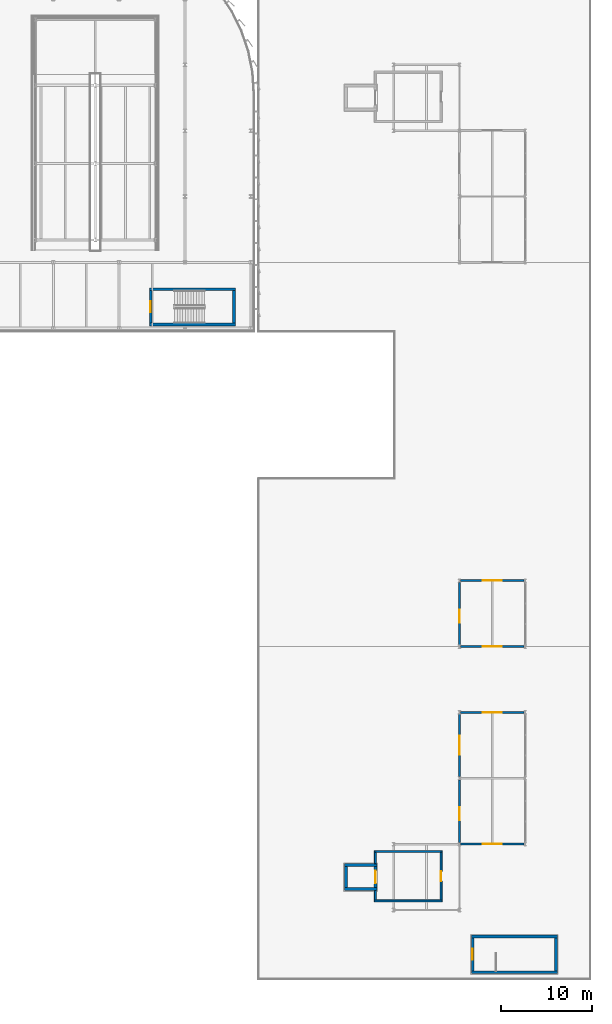
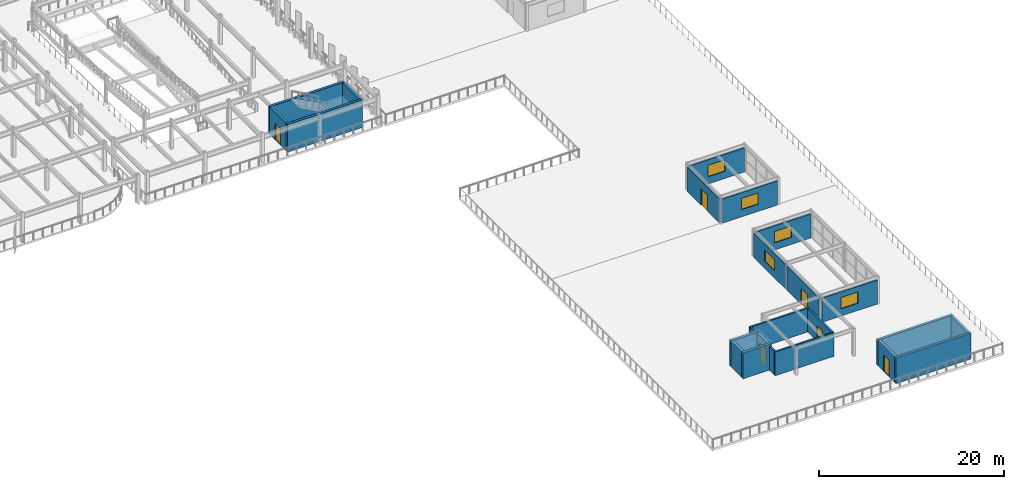
# One storey, part 36 of 52: 24 walls, 6 doors, 5 windows, 11 openings.
"""IFC4 building model written with IfcOpenShell, lengths in metres."""

from ifc_helpers import new_model, si_unit, direction, frame, frame_2d, origin, place, context, subcontext, project, spatial, rectangle, extrude, material, layer, layer_set, type_object, element, fill, save


model = new_model("IFC4")

# Units and contexts
model_context = context("Model", 3, precision=1e-05, world=origin(), true_north=direction((0.0, 1.0)))
body_context = subcontext(model_context, "Body", "Model", "MODEL_VIEW")
ifc_project = project(units=[si_unit("LENGTHUNIT", "METRE"), si_unit("AREAUNIT", "SQUARE_METRE"), si_unit("VOLUMEUNIT", "CUBIC_METRE"), si_unit("PLANEANGLEUNIT", "RADIAN"), si_unit("MASSUNIT", "GRAM", prefix="KILO")], contexts=[model_context])

# Site, building, storey
site_placement = place(None, origin())
site = spatial("IfcSite", under=ifc_project, at=site_placement, CompositionType="ELEMENT")
building_placement = place(site_placement, origin())
building = spatial("IfcBuilding", under=site, at=building_placement, Name="Vaelcorin Mobility Hub", CompositionType="ELEMENT")
storey_placement = place(building_placement, frame((0.0, 0.0, 13.199951171875)))
storey = spatial("IfcBuildingStorey", under=building, at=storey_placement, Name="L03", CompositionType="ELEMENT", Elevation=13.199951171875)

# Walls
ifc_material_1 = material(Name="Reinforced concrete f'c 45 MPa", Category="concrete")
ifc_layer_1 = layer(ifc_material_1, 0.300048828125)
ifc_layer_set_1 = layer_set([ifc_layer_1], Name="Reinforced concrete f'c 45 MPa")
wall_type_1 = type_object("IfcWallType", Name="WL-CORE-300", PredefinedType="SOLIDWALL", material=ifc_layer_set_1)
for number, where, z_axis, x_axis, name in (
    (1, (150.699951171875, 77.199951171875, 0.0), (0.0, 0.0, 1.0), (-1.0, 0.0, 0.0), "ST2 Fire Core Wall L03 South"),
    (2, (141.300048828125, 81.06005859375, 0.0), (0.0, 0.0, 1.0), (1.0, 0.0, 0.0), "ST2 Fire Core Wall L03 North"),
):
    element("IfcWall", number, at=place(storey_placement, frame(where, z_axis=z_axis, x_axis=x_axis)), inside=storey, type_object=wall_type_1, Name=name, PredefinedType="SOLIDWALL", context=body_context, shape_type="SweptSolid", body=[
        extrude(rectangle(XDim=9.39990234375, YDim=0.300048828125, at=frame_2d((4.699951171875, 0.0))), origin(), (0.0, 0.0, 1.0), 3.650146484375),
    ])

# Wall, opening, door
wall_1_placement = place(storey_placement, frame((141.449951171875, 77.35009765625, 0.0), z_axis=(0.0, 0.0, 1.0), x_axis=(0.0, 1.0, 0.0)))
wall_1 = element("IfcWall", 3, at=wall_1_placement, inside=storey, type_object=wall_type_1, Name="ST2 Fire Core Wall L03 West", PredefinedType="SOLIDWALL", context=body_context, shape_type="SweptSolid", body=[
    extrude(rectangle(XDim=3.559814453125, YDim=0.300048828125, at=frame_2d((1.77978515625, 0.0))), origin(), (0.0, 0.0, 1.0), 3.650146484375),
])
opening_1_placement = place(wall_1_placement, frame((1.179931640625, 0.0, 0.0)))
opening_1 = element("IfcOpeningElement", 4, at=opening_1_placement, cuts=wall_1, Name="Opening SD01", PredefinedType="OPENING", context=body_context, shape_type="SweptSolid", body=[
    extrude(rectangle(XDim=1.199951171875, YDim=2.199951171875, at=frame_2d((0.60009765625, 1.10009765625))), frame((0.0, 0.159912109375, 0.0), z_axis=(0.0, -1.0, 0.0), x_axis=(1.0, 0.0, 0.0)), (0.0, 0.0, 1.0), 0.320068359375),
])
ifc_material_2 = material(Name="Hollow-metal insulated steel fire door", Category="steel")
door_type_1 = type_object("IfcDoorType", Name="DR-STAIR-90", OperationType="NOTDEFINED", PredefinedType="DOOR", material=ifc_material_2)
door_1_placement = place(opening_1_placement, origin())
door_1 = element("IfcDoor", 5, at=door_1_placement, inside=storey, type_object=door_type_1, Name="ST2 Protected Stair Door L03", OperationType="SINGLE_SWING_LEFT", OverallHeight=2.199951171875, OverallWidth=1.199951171875, PredefinedType="DOOR", context=body_context, shape_type="SweptSolid", body=[
    extrude(rectangle(XDim=1.199951171875, YDim=2.199951171875, at=frame_2d((0.60009765625, 1.10009765625))), frame((0.0, 0.02490234375, 0.0), z_axis=(0.0, -1.0, 0.0), x_axis=(1.0, 0.0, 0.0)), (0.0, 0.0, 1.0), 0.050048828125),
])
fill(opening_1, door_1)

# Walls
wall_2_placement = place(storey_placement, frame((150.550048828125, 80.909912109375, 0.0), z_axis=(0.0, 0.0, 1.0), x_axis=(0.0, -1.0, 0.0)))
element("IfcWall", 6, at=wall_2_placement, inside=storey, type_object=wall_type_1, Name="ST2 Fire Core Wall L03 East", PredefinedType="SOLIDWALL", context=body_context, shape_type="SweptSolid", body=[
    extrude(rectangle(XDim=3.559814453125, YDim=0.300048828125, at=frame_2d((1.77978515625, 0.0))), origin(), (0.0, 0.0, 1.0), 3.650146484375),
])
for number, where, z_axis, x_axis, name in (
    (7, (185.89990234375, 6.39990234375, 0.0), (0.0, 0.0, 1.0), (-1.0, 0.0, 0.0), "ST5 Fire Core Wall L03 South"),
    (8, (176.5, 10.300048828125, 0.0), (0.0, 0.0, 1.0), (1.0, 0.0, 0.0), "ST5 Fire Core Wall L03 North"),
):
    element("IfcWall", number, at=place(storey_placement, frame(where, z_axis=z_axis, x_axis=x_axis)), inside=storey, type_object=wall_type_1, Name=name, PredefinedType="SOLIDWALL", context=body_context, shape_type="SweptSolid", body=[
        extrude(rectangle(XDim=9.39990234375, YDim=0.300048828125, at=frame_2d((4.699951171875, 0.0))), origin(), (0.0, 0.0, 1.0), 3.400146484375),
    ])

# Wall, opening, door
wall_3_placement = place(storey_placement, frame((176.64990234375, 6.550048828125, 0.0), z_axis=(0.0, 0.0, 1.0), x_axis=(0.0, 1.0, 0.0)))
wall_3 = element("IfcWall", 9, at=wall_3_placement, inside=storey, type_object=wall_type_1, Name="ST5 Fire Core Wall L03 West", PredefinedType="SOLIDWALL", context=body_context, shape_type="SweptSolid", body=[
    extrude(rectangle(XDim=3.599853515625, YDim=0.300048828125, at=frame_2d((1.7998046875, 0.0))), origin(), (0.0, 0.0, 1.0), 3.400146484375),
])
opening_2_placement = place(wall_3_placement, frame((1.199951171875, 0.0, 0.0)))
opening_2 = element("IfcOpeningElement", 10, at=opening_2_placement, cuts=wall_3, Name="Opening SD01", PredefinedType="OPENING", context=body_context, shape_type="SweptSolid", body=[
    extrude(rectangle(XDim=1.199951171875, YDim=2.199951171875, at=frame_2d((0.60009765625, 1.10009765625))), frame((0.0, 0.159912109375, 0.0), z_axis=(0.0, -1.0, 0.0), x_axis=(1.0, 0.0, 0.0)), (0.0, 0.0, 1.0), 0.320068359375),
])
door_2_placement = place(opening_2_placement, origin())
door_2 = element("IfcDoor", 11, at=door_2_placement, inside=storey, type_object=door_type_1, Name="ST5 Protected Stair Door L03", OperationType="SINGLE_SWING_RIGHT", OverallHeight=2.199951171875, OverallWidth=1.199951171875, PredefinedType="DOOR", context=body_context, shape_type="SweptSolid", body=[
    extrude(rectangle(XDim=1.199951171875, YDim=2.199951171875, at=frame_2d((0.60009765625, 1.10009765625))), frame((0.0, 0.02490234375, 0.0), z_axis=(0.0, -1.0, 0.0), x_axis=(1.0, 0.0, 0.0)), (0.0, 0.0, 1.0), 0.050048828125),
])
fill(opening_2, door_2)

# Wall
wall_4_placement = place(storey_placement, frame((185.75, 10.14990234375, 0.0), z_axis=(0.0, 0.0, 1.0), x_axis=(0.0, -1.0, 0.0)))
element("IfcWall", 12, at=wall_4_placement, inside=storey, type_object=wall_type_1, Name="ST5 Fire Core Wall L03 East", PredefinedType="SOLIDWALL", context=body_context, shape_type="SweptSolid", body=[
    extrude(rectangle(XDim=3.599853515625, YDim=0.300048828125, at=frame_2d((1.7998046875, 0.0))), origin(), (0.0, 0.0, 1.0), 3.400146484375),
])

# Wall, opening, door
ifc_material_3 = material(Name="Insulated exterior precast concrete C40/50", Category="concrete")
ifc_layer_2 = layer(ifc_material_3, 0.219970703125)
ifc_layer_set_2 = layer_set([ifc_layer_2], Name="Insulated exterior precast concrete C40/50")
wall_type_2 = type_object("IfcWallType", Name="WL-EXT-220", PredefinedType="STANDARD", material=ifc_layer_set_2)
wall_5_placement = place(storey_placement, frame((175.199951171875, 20.580078125, 0.0), z_axis=(0.0, 0.0, 1.0), x_axis=(0.0, 1.0, 0.0)))
wall_5 = element("IfcWall", 13, at=wall_5_placement, inside=storey, type_object=wall_type_2, Name="L03 Exterior Wall L03-GPAVS-W-1", PredefinedType="STANDARD", context=body_context, shape_type="SweptSolid", body=[
    extrude(rectangle(XDim=6.83984375, YDim=0.219970703125, at=frame_2d((3.419921875, 0.0))), origin(), (0.0, 0.0, 1.0), 3.18994140625),
])
opening_3_placement = place(wall_5_placement, frame((2.429931640625, 0.0, 0.0)))
opening_3 = element("IfcOpeningElement", 14, at=opening_3_placement, cuts=wall_5, Name="Opening ED04", PredefinedType="OPENING", context=body_context, shape_type="SweptSolid", body=[
    extrude(rectangle(XDim=1.39990234375, YDim=2.14990234375, at=frame_2d((0.699951171875, 1.074951171875))), frame((0.0, 0.119873046875, 0.0), z_axis=(0.0, -1.0, 0.0), x_axis=(1.0, 0.0, 0.0)), (0.0, 0.0, 1.0), 0.239990234375),
])
ifc_material_4 = material(Name="Anodised aluminium 6063-T6", Category="aluminium")
door_type_2 = type_object("IfcDoorType", Name="DR-EXT-1400X2150", OperationType="NOTDEFINED", PredefinedType="DOOR", material=ifc_material_4)
door_3_placement = place(opening_3_placement, origin())
door_3 = element("IfcDoor", 15, at=door_3_placement, inside=storey, type_object=door_type_2, Name="L03 Exterior Door DR-L03-RG-S", OperationType="SINGLE_SWING_LEFT", OverallHeight=2.14990234375, OverallWidth=1.39990234375, PredefinedType="DOOR", context=body_context, shape_type="SweptSolid", body=[
    extrude(rectangle(XDim=1.39990234375, YDim=2.14990234375, at=frame_2d((0.699951171875, 1.074951171875))), frame((0.0, 0.02490234375, 0.0), z_axis=(0.0, -1.0, 0.0), x_axis=(1.0, 0.0, 0.0)), (0.0, 0.0, 1.0), 0.050048828125),
])
fill(opening_3, door_3)

# Wall, opening, window
wall_6_placement = place(storey_placement, frame((175.199951171875, 27.780029296875, 0.0), z_axis=(0.0, 0.0, 1.0), x_axis=(0.0, 1.0, 0.0)))
wall_6 = element("IfcWall", 16, at=wall_6_placement, inside=storey, type_object=wall_type_2, Name="L03 Exterior Wall L03-GPAVS-W-2", PredefinedType="STANDARD", context=body_context, shape_type="SweptSolid", body=[
    extrude(rectangle(XDim=6.840087890625, YDim=0.219970703125, at=frame_2d((3.419921875, 0.0))), origin(), (0.0, 0.0, 1.0), 3.18994140625),
])
opening_4_placement = place(wall_6_placement, frame((2.3701171875, 0.0, 0.949951171875)))
opening_4 = element("IfcOpeningElement", 17, at=opening_4_placement, cuts=wall_6, Name="Opening WN19", PredefinedType="OPENING", context=body_context, shape_type="SweptSolid", body=[
    extrude(rectangle(XDim=2.10009765625, YDim=1.5, at=frame_2d((1.050048828125, 0.75))), frame((0.0, 0.119873046875, 0.0), z_axis=(0.0, -1.0, 0.0), x_axis=(1.0, 0.0, 0.0)), (0.0, 0.0, 1.0), 0.239990234375),
])
ifc_material_5 = material(Name="Double-glazed low-E window unit", Category="glass")
window_type = type_object("IfcWindowType", Name="WIN-2100X1500", PartitioningType="SINGLE_PANEL", PredefinedType="WINDOW", material=ifc_material_5)
window_1_placement = place(opening_4_placement, origin())
window_1 = element("IfcWindow", 18, at=window_1_placement, inside=storey, type_object=window_type, Name="L03 Window L03-GPAVS-W-2-WN", OverallHeight=1.5, OverallWidth=2.10009765625, PartitioningType="SINGLE_PANEL", PredefinedType="WINDOW", context=body_context, shape_type="SweptSolid", body=[
    extrude(rectangle(XDim=2.10009765625, YDim=1.5, at=frame_2d((1.050048828125, 0.75))), frame((0.0, 0.030029296875, 0.0), z_axis=(0.0, -1.0, 0.0), x_axis=(1.0, 0.0, 0.0)), (0.0, 0.0, 1.0), 0.06005859375),
])
fill(opening_4, window_1)

wall_7_placement = place(storey_placement, frame((182.26611328125, 20.39990234375, 0.0), z_axis=(0.0, 0.0, 1.0), x_axis=(-1.0, 0.0, 0.0)))
wall_7 = element("IfcWall", 19, at=wall_7_placement, inside=storey, type_object=wall_type_2, Name="L03 Exterior Wall L03-GPAVS-S", PredefinedType="STANDARD", context=body_context, shape_type="SweptSolid", body=[
    extrude(rectangle(XDim=6.93212890625, YDim=0.219970703125, at=frame_2d((3.466064453125, 0.0))), origin(), (0.0, 0.0, 1.0), 3.18994140625),
])
opening_5_placement = place(wall_7_placement, frame((2.416015625, 0.0, 0.949951171875)))
opening_5 = element("IfcOpeningElement", 20, at=opening_5_placement, cuts=wall_7, Name="Opening WN19", PredefinedType="OPENING", context=body_context, shape_type="SweptSolid", body=[
    extrude(rectangle(XDim=2.10009765625, YDim=1.5, at=frame_2d((1.050048828125, 0.75))), frame((0.0, 0.119873046875, 0.0), z_axis=(0.0, -1.0, 0.0), x_axis=(1.0, 0.0, 0.0)), (0.0, 0.0, 1.0), 0.239990234375),
])
window_2_placement = place(opening_5_placement, origin())
window_2 = element("IfcWindow", 21, at=window_2_placement, inside=storey, type_object=window_type, Name="L03 Window L03-GPAVS-S-WN", OverallHeight=1.5, OverallWidth=2.10009765625, PartitioningType="SINGLE_PANEL", PredefinedType="WINDOW", context=body_context, shape_type="SweptSolid", body=[
    extrude(rectangle(XDim=2.10009765625, YDim=1.5, at=frame_2d((1.050048828125, 0.75))), frame((0.0, 0.030029296875, 0.0), z_axis=(0.0, -1.0, 0.0), x_axis=(1.0, 0.0, 0.0)), (0.0, 0.0, 1.0), 0.06005859375),
])
fill(opening_5, window_2)

wall_8_placement = place(storey_placement, frame((175.333984375, 34.800048828125, 0.0), z_axis=(0.0, 0.0, 1.0), x_axis=(1.0, 0.0, 0.0)))
wall_8 = element("IfcWall", 22, at=wall_8_placement, inside=storey, type_object=wall_type_2, Name="L03 Exterior Wall L03-GPAVS-N", PredefinedType="STANDARD", context=body_context, shape_type="SweptSolid", body=[
    extrude(rectangle(XDim=6.93212890625, YDim=0.219970703125, at=frame_2d((3.466064453125, 0.0))), origin(), (0.0, 0.0, 1.0), 3.18994140625),
])
opening_6_placement = place(wall_8_placement, frame((2.416015625, 0.0, 0.949951171875)))
opening_6 = element("IfcOpeningElement", 23, at=opening_6_placement, cuts=wall_8, Name="Opening WN19", PredefinedType="OPENING", context=body_context, shape_type="SweptSolid", body=[
    extrude(rectangle(XDim=2.10009765625, YDim=1.5, at=frame_2d((1.050048828125, 0.75))), frame((0.0, 0.119873046875, 0.0), z_axis=(0.0, -1.0, 0.0), x_axis=(1.0, 0.0, 0.0)), (0.0, 0.0, 1.0), 0.239990234375),
])
window_3_placement = place(opening_6_placement, origin())
window_3 = element("IfcWindow", 24, at=window_3_placement, inside=storey, type_object=window_type, Name="L03 Window L03-GPAVS-N-WN", OverallHeight=1.5, OverallWidth=2.10009765625, PartitioningType="SINGLE_PANEL", PredefinedType="WINDOW", context=body_context, shape_type="SweptSolid", body=[
    extrude(rectangle(XDim=2.10009765625, YDim=1.5, at=frame_2d((1.050048828125, 0.75))), frame((0.0, 0.030029296875, 0.0), z_axis=(0.0, -1.0, 0.0), x_axis=(1.0, 0.0, 0.0)), (0.0, 0.0, 1.0), 0.06005859375),
])
fill(opening_6, window_3)

# Wall, opening, door
wall_9_placement = place(storey_placement, frame((175.199951171875, 42.179931640625, 0.0), z_axis=(0.0, 0.0, 1.0), x_axis=(0.0, 1.0, 0.0)))
wall_9 = element("IfcWall", 25, at=wall_9_placement, inside=storey, type_object=wall_type_2, Name="L03 Exterior Wall L03-GPAVM-W-1", PredefinedType="STANDARD", context=body_context, shape_type="SweptSolid", body=[
    extrude(rectangle(XDim=6.840087890625, YDim=0.219970703125, at=frame_2d((3.419921875, 0.0))), origin(), (0.0, 0.0, 1.0), 3.18994140625),
])
opening_7_placement = place(wall_9_placement, frame((2.429931640625, 0.0, 0.0)))
opening_7 = element("IfcOpeningElement", 26, at=opening_7_placement, cuts=wall_9, Name="Opening ED04", PredefinedType="OPENING", context=body_context, shape_type="SweptSolid", body=[
    extrude(rectangle(XDim=1.39990234375, YDim=2.14990234375, at=frame_2d((0.699951171875, 1.074951171875))), frame((0.0, 0.119873046875, 0.0), z_axis=(0.0, -1.0, 0.0), x_axis=(1.0, 0.0, 0.0)), (0.0, 0.0, 1.0), 0.239990234375),
])
door_4_placement = place(opening_7_placement, origin())
door_4 = element("IfcDoor", 27, at=door_4_placement, inside=storey, type_object=door_type_2, Name="L03 Exterior Door DR-L03-RG-M", OperationType="SINGLE_SWING_RIGHT", OverallHeight=2.14990234375, OverallWidth=1.39990234375, PredefinedType="DOOR", context=body_context, shape_type="SweptSolid", body=[
    extrude(rectangle(XDim=1.39990234375, YDim=2.14990234375, at=frame_2d((0.699951171875, 1.074951171875))), frame((0.0, 0.02490234375, 0.0), z_axis=(0.0, -1.0, 0.0), x_axis=(1.0, 0.0, 0.0)), (0.0, 0.0, 1.0), 0.050048828125),
])
fill(opening_7, door_4)

# Wall, opening, window
wall_10_placement = place(storey_placement, frame((182.26611328125, 42.0, 0.0), z_axis=(0.0, 0.0, 1.0), x_axis=(-1.0, 0.0, 0.0)))
wall_10 = element("IfcWall", 28, at=wall_10_placement, inside=storey, type_object=wall_type_2, Name="L03 Exterior Wall L03-GPAVM-S", PredefinedType="STANDARD", context=body_context, shape_type="SweptSolid", body=[
    extrude(rectangle(XDim=6.93212890625, YDim=0.219970703125, at=frame_2d((3.466064453125, 0.0))), origin(), (0.0, 0.0, 1.0), 3.18994140625),
])
opening_8_placement = place(wall_10_placement, frame((2.416015625, 0.0, 0.949951171875)))
opening_8 = element("IfcOpeningElement", 29, at=opening_8_placement, cuts=wall_10, Name="Opening WN19", PredefinedType="OPENING", context=body_context, shape_type="SweptSolid", body=[
    extrude(rectangle(XDim=2.10009765625, YDim=1.5, at=frame_2d((1.050048828125, 0.75))), frame((0.0, 0.119873046875, 0.0), z_axis=(0.0, -1.0, 0.0), x_axis=(1.0, 0.0, 0.0)), (0.0, 0.0, 1.0), 0.239990234375),
])
window_4_placement = place(opening_8_placement, origin())
window_4 = element("IfcWindow", 30, at=window_4_placement, inside=storey, type_object=window_type, Name="L03 Window L03-GPAVM-S-WN", OverallHeight=1.5, OverallWidth=2.10009765625, PartitioningType="SINGLE_PANEL", PredefinedType="WINDOW", context=body_context, shape_type="SweptSolid", body=[
    extrude(rectangle(XDim=2.10009765625, YDim=1.5, at=frame_2d((1.050048828125, 0.75))), frame((0.0, 0.030029296875, 0.0), z_axis=(0.0, -1.0, 0.0), x_axis=(1.0, 0.0, 0.0)), (0.0, 0.0, 1.0), 0.06005859375),
])
fill(opening_8, window_4)

wall_11_placement = place(storey_placement, frame((175.333984375, 49.199951171875, 0.0), z_axis=(0.0, 0.0, 1.0), x_axis=(1.0, 0.0, 0.0)))
wall_11 = element("IfcWall", 31, at=wall_11_placement, inside=storey, type_object=wall_type_2, Name="L03 Exterior Wall L03-GPAVM-N", PredefinedType="STANDARD", context=body_context, shape_type="SweptSolid", body=[
    extrude(rectangle(XDim=6.93212890625, YDim=0.219970703125, at=frame_2d((3.466064453125, 0.0))), origin(), (0.0, 0.0, 1.0), 3.18994140625),
])
opening_9_placement = place(wall_11_placement, frame((2.416015625, 0.0, 0.949951171875)))
opening_9 = element("IfcOpeningElement", 32, at=opening_9_placement, cuts=wall_11, Name="Opening WN19", PredefinedType="OPENING", context=body_context, shape_type="SweptSolid", body=[
    extrude(rectangle(XDim=2.10009765625, YDim=1.5, at=frame_2d((1.050048828125, 0.75))), frame((0.0, 0.119873046875, 0.0), z_axis=(0.0, -1.0, 0.0), x_axis=(1.0, 0.0, 0.0)), (0.0, 0.0, 1.0), 0.239990234375),
])
window_5_placement = place(opening_9_placement, origin())
window_5 = element("IfcWindow", 33, at=window_5_placement, inside=storey, type_object=window_type, Name="L03 Window L03-GPAVM-N-WN", OverallHeight=1.5, OverallWidth=2.10009765625, PartitioningType="SINGLE_PANEL", PredefinedType="WINDOW", context=body_context, shape_type="SweptSolid", body=[
    extrude(rectangle(XDim=2.10009765625, YDim=1.5, at=frame_2d((1.050048828125, 0.75))), frame((0.0, 0.030029296875, 0.0), z_axis=(0.0, -1.0, 0.0), x_axis=(1.0, 0.0, 0.0)), (0.0, 0.0, 1.0), 0.06005859375),
])
fill(opening_9, window_5)

# Walls
ifc_material_6 = material(Name="Reinforced acoustic concrete masonry C30/37", Category="masonry")
ifc_layer_3 = layer(ifc_material_6, 0.2119140625)
ifc_layer_set_3 = layer_set([ifc_layer_3], Name="Reinforced acoustic concrete masonry C30/37")
wall_type_3 = type_object("IfcWallType", Name="WL-PART-212", PredefinedType="PARTITIONING", material=ifc_layer_set_3)
for number, where, z_axis, x_axis, name in (
    (34, (173.305908203125, 14.199951171875, 0.0), (0.0, 0.0, 1.0), (-1.0, 0.0, 0.0), "South Garden Lift Lobby L03 Partition South"),
    (35, (165.906005859375, 19.60009765625, 0.0), (0.0, 0.0, 1.0), (1.0, 0.0, 0.0), "South Garden Lift Lobby L03 Partition North"),
):
    element("IfcWall", number, at=place(storey_placement, frame(where, z_axis=z_axis, x_axis=x_axis)), inside=storey, type_object=wall_type_3, Name=name, PredefinedType="PARTITIONING", context=body_context, shape_type="SweptSolid", body=[
        extrude(rectangle(XDim=7.39990234375, YDim=0.2119140625, at=frame_2d((3.699951171875, 0.0))), origin(), (0.0, 0.0, 1.0), 3.130126953125),
    ])
wall_12_placement = place(storey_placement, frame((166.011962890625, 14.30810546875, 0.0), z_axis=(0.0, 0.0, 1.0), x_axis=(0.0, 1.0, 0.0)))
element("IfcWall", 36, at=wall_12_placement, inside=storey, type_object=wall_type_3, Name="South Garden Lift Lobby L03 Return Wall SW", PredefinedType="PARTITIONING", context=body_context, shape_type="SweptSolid", body=[
    extrude(rectangle(XDim=1.014892578125, YDim=0.2119140625, at=frame_2d((0.50732421875, 0.0))), origin(), (0.0, 0.0, 1.0), 3.130126953125),
])
wall_13_placement = place(storey_placement, frame((166.011962890625, 18.277099609375, 0.0), z_axis=(0.0, 0.0, 1.0), x_axis=(0.0, 1.0, 0.0)))
element("IfcWall", 37, at=wall_13_placement, inside=storey, type_object=wall_type_3, Name="South Garden Lift Lobby L03 Return Wall NW", PredefinedType="PARTITIONING", context=body_context, shape_type="SweptSolid", body=[
    extrude(rectangle(XDim=1.21484375, YDim=0.2119140625, at=frame_2d((0.607421875, 0.0))), origin(), (0.0, 0.0, 1.0), 3.130126953125),
])

# Wall, opening, door
wall_14_placement = place(storey_placement, frame((173.199951171875, 19.491943359375, 0.0), z_axis=(0.0, 0.0, 1.0), x_axis=(0.0, -1.0, 0.0)))
wall_14 = element("IfcWall", 38, at=wall_14_placement, inside=storey, type_object=wall_type_3, Name="South Garden Lift Lobby L03 Partition East", PredefinedType="PARTITIONING", context=body_context, shape_type="SweptSolid", body=[
    extrude(rectangle(XDim=5.183837890625, YDim=0.2119140625, at=frame_2d((2.591796875, 0.0))), origin(), (0.0, 0.0, 1.0), 3.130126953125),
])
opening_10_placement = place(wall_14_placement, frame((2.0419921875, 0.0, 0.0)))
opening_10 = element("IfcOpeningElement", 39, at=opening_10_placement, cuts=wall_14, Name="Opening ID06", PredefinedType="OPENING", context=body_context, shape_type="SweptSolid", body=[
    extrude(rectangle(XDim=1.10009765625, YDim=2.10009765625, at=frame_2d((0.550048828125, 1.050048828125))), frame((0.0, 0.115966796875, 0.0), z_axis=(0.0, -1.0, 0.0), x_axis=(1.0, 0.0, 0.0)), (0.0, 0.0, 1.0), 0.23193359375),
])
ifc_material_7 = material(Name="Solid-core hardwood fire door assembly", Category="wood")
door_type_3 = type_object("IfcDoorType", Name="DR-INT-06", OperationType="NOTDEFINED", PredefinedType="DOOR", material=ifc_material_7)
door_5_placement = place(opening_10_placement, origin())
door_5 = element("IfcDoor", 40, at=door_5_placement, inside=storey, type_object=door_type_3, Name="South Garden Lift Lobby L03 Door", OperationType="SINGLE_SWING_RIGHT", OverallHeight=2.10009765625, OverallWidth=1.10009765625, PredefinedType="DOOR", context=body_context, shape_type="SweptSolid", body=[
    extrude(rectangle(XDim=1.10009765625, YDim=2.10009765625, at=frame_2d((0.550048828125, 1.050048828125))), frame((0.0, 0.02490234375, 0.0), z_axis=(0.0, -1.0, 0.0), x_axis=(1.0, 0.0, 0.0)), (0.0, 0.0, 1.0), 0.050048828125),
])
fill(opening_10, door_5)

# Walls
ifc_layer_4 = layer(ifc_material_1, 0.324951171875)
ifc_layer_set_4 = layer_set([ifc_layer_4], Name="Reinforced concrete f'c 45 MPa")
wall_type_4 = type_object("IfcWallType", Name="WL-SHEAR-325", PredefinedType="SHEAR", material=ifc_layer_set_4)
for number, where, z_axis, x_axis, name in (
    (41, (166.175048828125, 15.488037109375, 0.0), (0.0, 0.0, 1.0), (-1.0, 0.0, 0.0), "LF5 Lift Shaft Shear Wall L03 South"),
    (42, (162.625, 18.112060546875, 0.0), (0.0, 0.0, 1.0), (1.0, 0.0, 0.0), "LF5 Lift Shaft Shear Wall L03 North"),
):
    element("IfcWall", number, at=place(storey_placement, frame(where, z_axis=z_axis, x_axis=x_axis)), inside=storey, type_object=wall_type_4, Name=name, PredefinedType="SHEAR", context=body_context, shape_type="SweptSolid", body=[
        extrude(rectangle(XDim=3.550048828125, YDim=0.324951171875, at=frame_2d((1.77490234375, 0.0))), origin(), (0.0, 0.0, 1.0), 3.400146484375),
    ])
wall_15_placement = place(storey_placement, frame((162.7880859375, 15.64990234375, 0.0), z_axis=(0.0, 0.0, 1.0), x_axis=(0.0, 1.0, 0.0)))
element("IfcWall", 43, at=wall_15_placement, inside=storey, type_object=wall_type_4, Name="LF5 Lift Shaft Shear Wall L03 West", PredefinedType="SHEAR", context=body_context, shape_type="SweptSolid", body=[
    extrude(rectangle(XDim=2.300048828125, YDim=0.324951171875, at=frame_2d((1.14990234375, 0.0))), origin(), (0.0, 0.0, 1.0), 3.400146484375),
])

# Wall, opening, door
wall_16_placement = place(storey_placement, frame((166.011962890625, 17.949951171875, 0.0), z_axis=(0.0, 0.0, 1.0), x_axis=(0.0, -1.0, 0.0)))
wall_16 = element("IfcWall", 44, at=wall_16_placement, inside=storey, type_object=wall_type_4, Name="LF5 Lift Shaft Shear Wall L03 East", PredefinedType="SHEAR", context=body_context, shape_type="SweptSolid", body=[
    extrude(rectangle(XDim=2.300048828125, YDim=0.324951171875, at=frame_2d((1.14990234375, 0.0))), origin(), (0.0, 0.0, 1.0), 3.400146484375),
])
opening_11_placement = place(wall_16_placement, frame((0.449951171875, 0.0, 0.0)))
opening_11 = element("IfcOpeningElement", 45, at=opening_11_placement, cuts=wall_16, Name="Opening LD3", PredefinedType="OPENING", context=body_context, shape_type="SweptSolid", body=[
    extrude(rectangle(XDim=1.39990234375, YDim=2.300048828125, at=frame_2d((0.699951171875, 1.14990234375))), frame((0.0, 0.17236328125, 0.0), z_axis=(0.0, -1.0, 0.0), x_axis=(1.0, 0.0, 0.0)), (0.0, 0.0, 1.0), 0.344970703125),
])
ifc_material_8 = material(Name="Brushed stainless steel 316L", Category="steel")
door_type_4 = type_object("IfcDoorType", Name="DR-LIFT-LD3", OperationType="NOTDEFINED", PredefinedType="DOOR", material=ifc_material_8)
door_6_placement = place(opening_11_placement, origin())
door_6 = element("IfcDoor", 46, at=door_6_placement, inside=storey, type_object=door_type_4, Name="LF5 Lift Landing Sliding Door L03", OperationType="DOUBLE_DOOR_SLIDING", OverallHeight=2.300048828125, OverallWidth=1.39990234375, PredefinedType="DOOR", context=body_context, shape_type="SweptSolid", body=[
    extrude(rectangle(XDim=1.39990234375, YDim=2.300048828125, at=frame_2d((0.699951171875, 1.14990234375))), frame((0.0, 0.02490234375, 0.0), z_axis=(0.0, -1.0, 0.0), x_axis=(1.0, 0.0, 0.0)), (0.0, 0.0, 1.0), 0.050048828125),
])
fill(opening_11, door_6)

save(model, "model.ifc")
